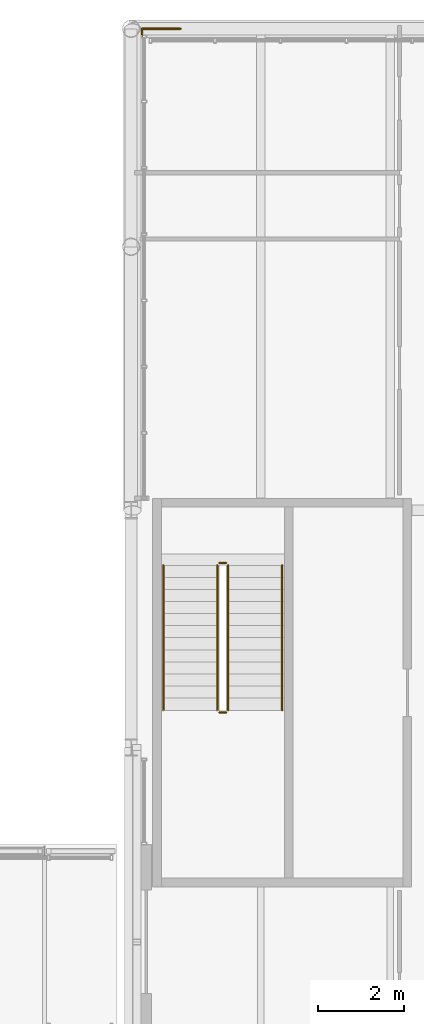
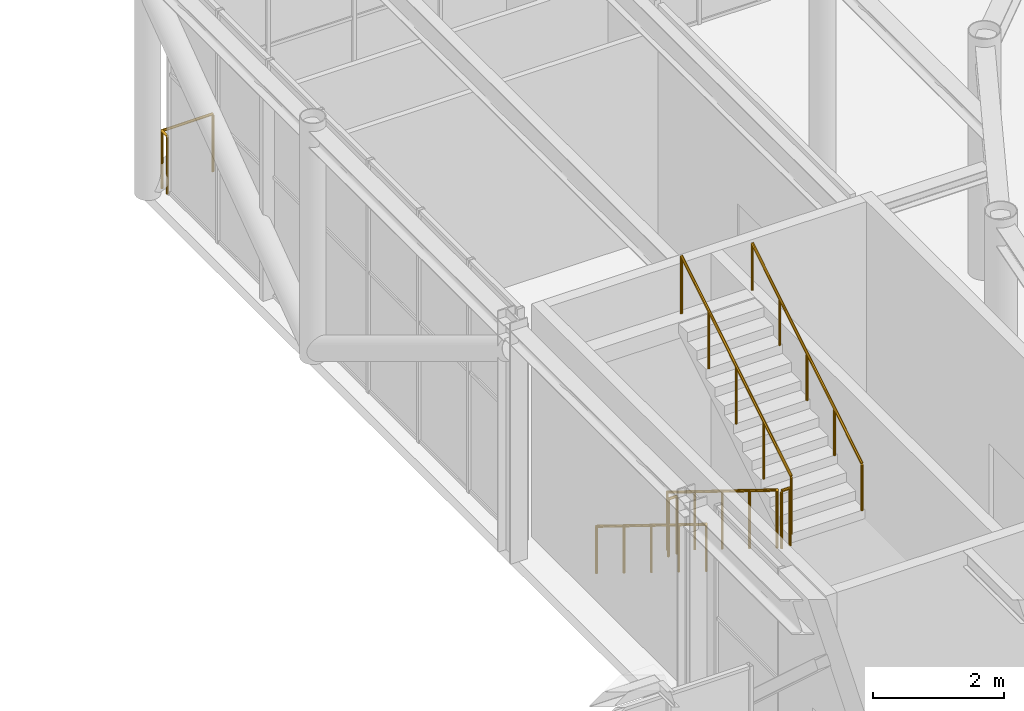
# One storey, part 140 of 149: 7 railings.
"""IFC4 building model written with IfcOpenShell, lengths in metres."""

import ifcopenshell
import ifcopenshell.guid

model = None  # the IFC model being written
_history = None  # IfcOwnerHistory: only IFC2X3 demands one
_inside = {}  # id of a spatial element -> (the spatial element, [elements in it])
_under = {}  # id of a project, library or spatial element -> (it, [spatial elements below it])
_declared = {}  # id of a project -> (the project, [libraries it declares])
_typed = {}  # id of a type object -> (the type object, [elements of that type])
_made_of = {}  # id of a material, layer set ... -> (it, [elements and type objects made of it])


def new_model(schema):
    """Start an empty IFC model of exactly this schema.

    Asked for "IFC4X3", IfcOpenShell would pick the latest addendum, in which some entities
    have other attributes; the version numbers below select the first issue.
    IFC2X3 requires an IfcOwnerHistory on every rooted entity: one is made here for all.
    """
    global model, _history
    if schema == "IFC4X3":
        model = ifcopenshell.file(schema_version=(4, 3, 0, 0))
    else:
        model = ifcopenshell.file(schema=schema)
    _inside.clear()
    _under.clear()
    _declared.clear()
    _typed.clear()
    _made_of.clear()
    _history = None
    if model.schema == "IFC2X3":
        org = make("IfcOrganization", Name="unknown")
        user = make(
            "IfcPersonAndOrganization",
            ThePerson=make("IfcPerson", FamilyName="unknown"),
            TheOrganization=org,
        )
        app = make(
            "IfcApplication",
            ApplicationDeveloper=org,
            Version="unknown",
            ApplicationFullName="unknown",
            ApplicationIdentifier="unknown",
        )
        _history = make(
            "IfcOwnerHistory",
            OwningUser=user,
            OwningApplication=app,
            ChangeAction="ADDED",
            CreationDate=0,
        )
    return model


def make(cls, **values):
    """One entity of the class cls with the attributes given. An attribute that is None is left unset."""
    return model.create_entity(
        cls, **{name: value for name, value in values.items() if value is not None}
    )


def rooted(cls, **values):
    """An entity with a GlobalId (a new one), such as an element, a storey or a relation."""
    return make(cls, GlobalId=ifcopenshell.guid.new(), OwnerHistory=_history, **values)


def si_unit(unit_type, name, prefix=None):
    """IfcSIUnit, for example si_unit("LENGTHUNIT", "METRE", prefix="MILLI")."""
    return make("IfcSIUnit", UnitType=unit_type, Prefix=prefix, Name=name)


def assignment(units):
    """IfcUnitAssignment: the units of a project."""
    return None if units is None else make("IfcUnitAssignment", Units=units)


def point(xyz):
    """IfcCartesianPoint."""
    return None if xyz is None else make("IfcCartesianPoint", Coordinates=xyz)


def direction(xyz):
    """IfcDirection."""
    return None if xyz is None else make("IfcDirection", DirectionRatios=xyz)


def frame(location, z_axis=None, x_axis=None):
    """IfcAxis2Placement3D, a coordinate frame: its origin and axes. An axis left out is left unset."""
    return make(
        "IfcAxis2Placement3D",
        Location=point(location),
        Axis=direction(z_axis),
        RefDirection=direction(x_axis),
    )


def frame_2d(location, x_axis=None):
    """IfcAxis2Placement2D, a coordinate frame in the plane: its origin and x axis."""
    return make(
        "IfcAxis2Placement2D", Location=point(location), RefDirection=direction(x_axis)
    )


def origin():
    """The frame at (0, 0, 0) with its axes left unset."""
    return frame((0.0, 0.0, 0.0))


def origin_2d():
    """The frame at (0, 0) in the plane with its x axis left unset."""
    return frame_2d((0.0, 0.0))


def place(relative_to, where):
    """IfcLocalPlacement: puts the frame where relative to a parent placement (None: the world)."""
    return make(
        "IfcLocalPlacement", PlacementRelTo=relative_to, RelativePlacement=where
    )


def context(
    kind, dimensions, precision=None, world=None, true_north=None, identifier=None
):
    """IfcGeometricRepresentationContext, for example the 3D "Model" context."""
    return make(
        "IfcGeometricRepresentationContext",
        ContextIdentifier=identifier,
        ContextType=kind,
        CoordinateSpaceDimension=dimensions,
        Precision=precision,
        WorldCoordinateSystem=world,
        TrueNorth=true_north,
    )


def subcontext(parent, identifier, kind, view, scale=None):
    """IfcGeometricRepresentationSubContext, for example "Body" below "Model"."""
    return make(
        "IfcGeometricRepresentationSubContext",
        ContextIdentifier=identifier,
        ContextType=kind,
        ParentContext=parent,
        TargetScale=scale,
        TargetView=view,
    )


def project(units=None, contexts=None):
    """IfcProject with its units and contexts."""
    return rooted(
        "IfcProject",
        Name="project",
        RepresentationContexts=contexts,
        UnitsInContext=assignment(units),
    )


def spatial(cls, under=None, at=None, **own):
    """A site, building, storey or space (cls), placed at a placement, below another one or the project."""
    s = rooted(cls, ObjectPlacement=at, **own)
    if under is not None:
        _under.setdefault(under.id(), (under, []))[1].append(s)
    return s


def profile(cls, at=None, kind="AREA", **sizes):
    """A parametric profile (cls). Its sizes go by their IFC names, for example OverallWidth=200.0."""
    return make(cls, ProfileType=kind, Position=at, **sizes)


def circle(**sizes):
    """IfcCircleProfileDef."""
    return profile("IfcCircleProfileDef", **sizes)


def extrude(swept, where, along, depth):
    """IfcExtrudedAreaSolid: the profile swept, set in the frame where, extruded along a direction by depth."""
    return make(
        "IfcExtrudedAreaSolid",
        SweptArea=swept,
        Position=where,
        ExtrudedDirection=direction(along),
        Depth=depth,
    )


def shape(context_of_items, identifier, shape_type, items):
    """IfcShapeRepresentation: the items that make up one representation, for example the "Body"."""
    return make(
        "IfcShapeRepresentation",
        ContextOfItems=context_of_items,
        RepresentationIdentifier=identifier,
        RepresentationType=shape_type,
        Items=items,
    )


def material(Name=None, Category=None):
    """IfcMaterial."""
    return make("IfcMaterial", Name=Name, Category=Category)


def made_of(thing, what):
    """Note that an element or type object is made of a material, layer set ...; save() writes the relation."""
    if what is not None:
        _made_of.setdefault(what.id(), (what, []))[1].append(thing)
    return thing


def type_object(cls, material=None, **own):
    """A type object (cls), such as IfcWallType, which elements share."""
    return made_of(rooted(cls, **own), material)


def element(
    cls,
    number,
    at=None,
    inside=None,
    cuts=None,
    type_object=None,
    material=None,
    context=None,
    identifier="Body",
    shape_type=None,
    held_by="IfcProductDefinitionShape",
    body=None,
    shapes=None,
    **own,
):
    """One element of the class cls, such as IfcWall. Its Tag is "e" and its number.

    at: its placement. inside: the storey or other place that contains it. cuts: it is an
    opening in that element (IfcRelVoidsElement). A single representation is given by context,
    identifier, shape_type and body (its items); several are given by shapes. held_by: the class
    of the entity that holds the representations. save() writes the other relations.
    """
    e = rooted(cls, Tag="e%d" % number, ObjectPlacement=at, **own)
    if body is not None:
        shapes = [shape(context, identifier, shape_type, body)]
    if shapes is not None:
        e.Representation = make(held_by, Representations=shapes)
    if inside is not None:
        _inside.setdefault(inside.id(), (inside, []))[1].append(e)
    if cuts is not None:
        rooted(
            "IfcRelVoidsElement", RelatingBuildingElement=cuts, RelatedOpeningElement=e
        )
    if type_object is not None:
        _typed.setdefault(type_object.id(), (type_object, []))[1].append(e)
    return made_of(e, material)


def aggregate(whole, parts):
    """IfcRelAggregates: a whole, such as a stair, and the parts it consists of."""
    return rooted("IfcRelAggregates", RelatingObject=whole, RelatedObjects=parts)


def save(model, path):
    """Write the relations noted so far, then the file.

    IfcRelAggregates (storeys below a building ...), IfcRelContainedInSpatialStructure (elements
    in a storey), IfcRelDefinesByType, IfcRelAssociatesMaterial and IfcRelDeclares: one each for
    every whole, place, type object, material and project.
    """
    for whole, parts in _under.values():
        aggregate(whole, parts)
    for where, things in _inside.values():
        rooted(
            "IfcRelContainedInSpatialStructure",
            RelatedElements=things,
            RelatingStructure=where,
        )
    for kind, things in _typed.values():
        rooted("IfcRelDefinesByType", RelatedObjects=things, RelatingType=kind)
    for what, things in _made_of.values():
        rooted("IfcRelAssociatesMaterial", RelatedObjects=things, RelatingMaterial=what)
    for by, libraries in _declared.values():
        rooted("IfcRelDeclares", RelatingContext=by, RelatedDefinitions=libraries)
    model.write(path)


model = new_model("IFC4")

# Units and contexts
model_context = context("Model", 3, precision=1e-05, world=origin(), true_north=direction((0.0, 1.0)))
body_context = subcontext(model_context, "Body", "Model", "MODEL_VIEW")
ifc_project = project(units=[si_unit("LENGTHUNIT", "METRE"), si_unit("AREAUNIT", "SQUARE_METRE"), si_unit("VOLUMEUNIT", "CUBIC_METRE"), si_unit("PLANEANGLEUNIT", "RADIAN"), si_unit("MASSUNIT", "GRAM", prefix="KILO")], contexts=[model_context])

# Site, building, storey
site_placement = place(None, origin())
site = spatial("IfcSite", under=ifc_project, at=site_placement, CompositionType="ELEMENT")
building_placement = place(site_placement, origin())
building = spatial("IfcBuilding", under=site, at=building_placement, Name="Kallimachos Central Library", CompositionType="ELEMENT")
storey_placement = place(building_placement, frame((0.0, 0.0, 9.89990234375)))
storey = spatial("IfcBuildingStorey", under=building, at=storey_placement, Name="L02", CompositionType="ELEMENT", Elevation=9.89990234375)

# Railings
ifc_material_1 = material(Name="Wrought iron")
railing_type_1 = type_object("IfcRailingType", Name="Wrought-iron handrail 900", PredefinedType="HANDRAIL", material=ifc_material_1)
railing_1_placement = place(storey_placement, frame((66.25, 109.22509765625, 0.173095703125)))
element("IfcRailing", 1, at=railing_1_placement, inside=storey, type_object=railing_type_1, Name="L02 ST3 stair handrail 1", PredefinedType="HANDRAIL", context=body_context, shape_type="SweptSolid", body=[
    extrude(circle(Radius=0.02392578125, at=origin_2d()), frame((0.0, 0.0, 0.8759765625), z_axis=(0.0, -0.850623216509, 0.525775754039), x_axis=(1.0, 0.0, 0.0)), (0.0, 0.0, 1.0), 3.9501953125),
    extrude(circle(Radius=0.02099609375, at=origin_2d()), origin(), (0.0, 0.0, 1.0), 0.851806640625),
    extrude(circle(Radius=0.02099609375, at=origin_2d()), frame((0.0, -0.840087890625, 0.519287109375)), (0.0, 0.0, 1.0), 0.851806640625),
    extrude(circle(Radius=0.02099609375, at=origin_2d()), frame((0.0, -1.68017578125, 1.03857421875)), (0.0, 0.0, 1.0), 0.851806640625),
    extrude(circle(Radius=0.02099609375, at=origin_2d()), frame((0.0, -2.52001953125, 1.5576171875)), (0.0, 0.0, 1.0), 0.851806640625),
    extrude(circle(Radius=0.02099609375, at=origin_2d()), frame((0.0, -3.360107421875, 2.076904296875)), (0.0, 0.0, 1.0), 0.851806640625),
])
railing_2_placement = place(storey_placement, frame((69.0, 105.864990234375, 2.423095703125)))
element("IfcRailing", 2, at=railing_2_placement, inside=storey, type_object=railing_type_1, Name="L02 ST3 stair handrail 2", PredefinedType="HANDRAIL", context=body_context, shape_type="SweptSolid", body=[
    extrude(circle(Radius=0.02392578125, at=origin_2d()), frame((0.0, 0.0, 0.8759765625), z_axis=(0.0, 0.850623216509, 0.525775754039), x_axis=(-1.0, 0.0, 0.0)), (0.0, 0.0, 1.0), 3.9501953125),
    extrude(circle(Radius=0.02099609375, at=origin_2d()), origin(), (0.0, 0.0, 1.0), 0.851806640625),
    extrude(circle(Radius=0.02099609375, at=origin_2d()), frame((0.0, 0.840087890625, 0.519287109375)), (0.0, 0.0, 1.0), 0.851806640625),
    extrude(circle(Radius=0.02099609375, at=origin_2d()), frame((0.0, 1.68017578125, 1.03857421875)), (0.0, 0.0, 1.0), 0.851806640625),
    extrude(circle(Radius=0.02099609375, at=origin_2d()), frame((0.0, 2.52001953125, 1.5576171875)), (0.0, 0.0, 1.0), 0.851806640625),
    extrude(circle(Radius=0.02099609375, at=origin_2d()), frame((0.0, 3.360107421875, 2.076904296875)), (0.0, 0.0, 1.0), 0.851806640625),
])
ifc_material_2 = material(Name="Wrought iron")
railing_type_2 = type_object("IfcRailingType", Name="Wrought-iron stair guard 1100", PredefinedType="GUARDRAIL", material=ifc_material_2)
railing_3_placement = place(storey_placement, frame((67.5, 109.22509765625, 0.173095703125)))
element("IfcRailing", 3, at=railing_3_placement, inside=storey, type_object=railing_type_2, Name="L02 ST3 stair guard 1", PredefinedType="GUARDRAIL", context=body_context, shape_type="SweptSolid", body=[
    extrude(circle(Radius=0.02392578125, at=origin_2d()), frame((0.0, 0.0, 1.076171875), z_axis=(0.0, -0.850623216509, 0.525775754039), x_axis=(1.0, 0.0, 0.0)), (0.0, 0.0, 1.0), 3.9501953125),
    extrude(circle(Radius=0.02099609375, at=origin_2d()), origin(), (0.0, 0.0, 1.0), 1.052001953125),
    extrude(circle(Radius=0.02099609375, at=origin_2d()), frame((0.0, -0.840087890625, 0.519287109375)), (0.0, 0.0, 1.0), 1.052001953125),
    extrude(circle(Radius=0.02099609375, at=origin_2d()), frame((0.0, -1.68017578125, 1.03857421875)), (0.0, 0.0, 1.0), 1.052001953125),
    extrude(circle(Radius=0.02099609375, at=origin_2d()), frame((0.0, -2.52001953125, 1.5576171875)), (0.0, 0.0, 1.0), 1.052001953125),
    extrude(circle(Radius=0.02099609375, at=origin_2d()), frame((0.0, -3.360107421875, 2.076904296875)), (0.0, 0.0, 1.0), 1.052001953125),
])
railing_4_placement = place(storey_placement, frame((67.550048828125, 105.81494140625, 2.25)))
element("IfcRailing", 4, at=railing_4_placement, inside=storey, type_object=railing_type_2, Name="L02 ST3 stair guard 2", PredefinedType="GUARDRAIL", context=body_context, shape_type="SweptSolid", body=[
    extrude(circle(Radius=0.02392578125, at=origin_2d()), frame((0.0, 0.0, 1.076171875), z_axis=(1.0, 0.0, 0.0), x_axis=(0.0, 1.0, 0.0)), (0.0, 0.0, 1.0), 0.14990234375),
    extrude(circle(Radius=0.02099609375, at=origin_2d()), origin(), (0.0, 0.0, 1.0), 1.052001953125),
    extrude(circle(Radius=0.02099609375, at=origin_2d()), frame((0.14990234375, 0.0, 0.0)), (0.0, 0.0, 1.0), 1.052001953125),
])
railing_5_placement = place(storey_placement, frame((67.75, 105.864990234375, 2.423095703125)))
element("IfcRailing", 5, at=railing_5_placement, inside=storey, type_object=railing_type_2, Name="L02 ST3 stair guard 3", PredefinedType="GUARDRAIL", context=body_context, shape_type="SweptSolid", body=[
    extrude(circle(Radius=0.02392578125, at=origin_2d()), frame((0.0, 0.0, 1.076171875), z_axis=(0.0, 0.850623216509, 0.525775754039), x_axis=(-1.0, 0.0, 0.0)), (0.0, 0.0, 1.0), 3.9501953125),
    extrude(circle(Radius=0.02099609375, at=origin_2d()), origin(), (0.0, 0.0, 1.0), 1.052001953125),
    extrude(circle(Radius=0.02099609375, at=origin_2d()), frame((0.0, 0.840087890625, 0.519287109375)), (0.0, 0.0, 1.0), 1.052001953125),
    extrude(circle(Radius=0.02099609375, at=origin_2d()), frame((0.0, 1.68017578125, 1.03857421875)), (0.0, 0.0, 1.0), 1.052001953125),
    extrude(circle(Radius=0.02099609375, at=origin_2d()), frame((0.0, 2.52001953125, 1.5576171875)), (0.0, 0.0, 1.0), 1.052001953125),
    extrude(circle(Radius=0.02099609375, at=origin_2d()), frame((0.0, 3.360107421875, 2.076904296875)), (0.0, 0.0, 1.0), 1.052001953125),
])
railing_6_placement = place(storey_placement, frame((67.550048828125, 109.27490234375, 0.0)))
element("IfcRailing", 6, at=railing_6_placement, inside=storey, type_object=railing_type_2, Name="L02 ST3 stair guard 4", PredefinedType="GUARDRAIL", context=body_context, shape_type="SweptSolid", body=[
    extrude(circle(Radius=0.02392578125, at=origin_2d()), frame((0.0, 0.0, 1.076171875), z_axis=(1.0, 0.0, 0.0), x_axis=(0.0, 1.0, 0.0)), (0.0, 0.0, 1.0), 0.14990234375),
    extrude(circle(Radius=0.02099609375, at=origin_2d()), origin(), (0.0, 0.0, 1.0), 1.052001953125),
    extrude(circle(Radius=0.02099609375, at=origin_2d()), frame((0.14990234375, 0.0, 0.0)), (0.0, 0.0, 1.0), 1.052001953125),
])
ifc_material_3 = material(Name="Wrought iron")
railing_type_3 = type_object("IfcRailingType", Name="Wrought-iron style guard", PredefinedType="GUARDRAIL", material=ifc_material_3)
railing_7_placement = place(storey_placement, frame((65.75, 121.47998046875, 0.0)))
element("IfcRailing", 7, at=railing_7_placement, inside=storey, type_object=railing_type_3, Name="Corner ledge guard", PredefinedType="GUARDRAIL", context=body_context, shape_type="SweptSolid", body=[
    extrude(circle(Radius=0.02392578125, at=origin_2d()), frame((0.0, 0.0, 1.076171875), z_axis=(0.0, 1.0, 0.0), x_axis=(-1.0, 0.0, 0.0)), (0.0, 0.0, 1.0), 0.169921875),
    extrude(circle(Radius=0.02392578125, at=origin_2d()), frame((0.0, 0.169921875, 1.076171875), z_axis=(1.0, 0.0, 0.0), x_axis=(0.0, 1.0, 0.0)), (0.0, 0.0, 1.0), 0.89990234375),
    extrude(circle(Radius=0.02099609375, at=origin_2d()), origin(), (0.0, 0.0, 1.0), 1.052001953125),
    extrude(circle(Radius=0.02099609375, at=origin_2d()), frame((0.0, 0.169921875, 0.0)), (0.0, 0.0, 1.0), 1.052001953125),
    extrude(circle(Radius=0.02099609375, at=origin_2d()), frame((0.89990234375, 0.169921875, 0.0)), (0.0, 0.0, 1.0), 1.052001953125),
])

save(model, "model.ifc")
